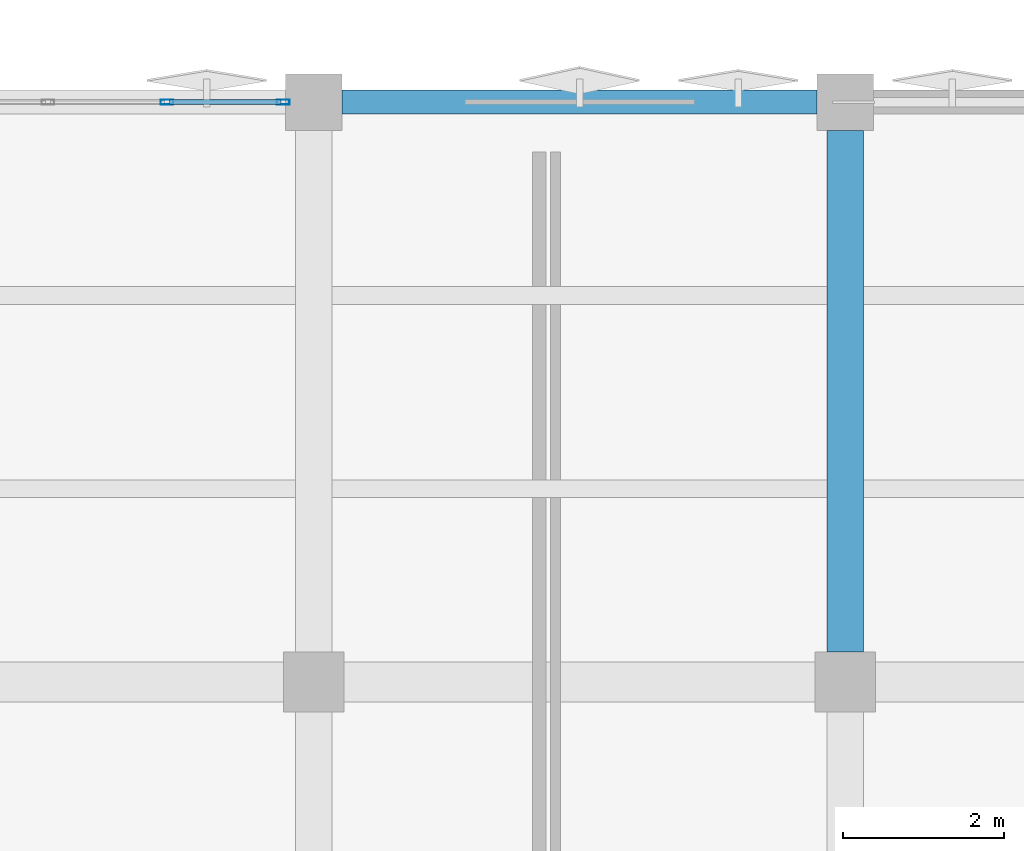
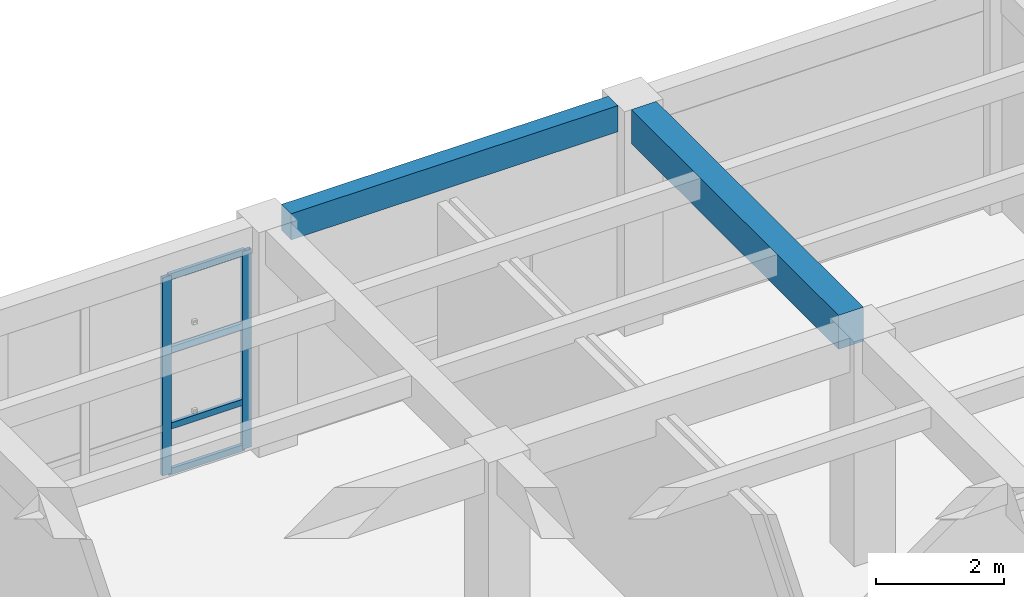
# One storey, part 50 of 80: 6 members, 2 beams, 1 element without a shape of its own.
"""IFC4 building model written with IfcOpenShell, lengths in metres."""

from ifc_helpers import new_model, si_unit, direction, frame, origin, origin_2d, place, context, subcontext, project, spatial, rectangle, hollow_rectangle, extrude, material, layer, layer_set, material_profile, profile_set, type_object, element, aggregate, save


model = new_model("IFC4")

# Units and contexts
model_context = context("Model", 3, precision=1e-05, world=origin(), true_north=direction((0.0, 1.0)))
body_context = subcontext(model_context, "Body", "Model", "MODEL_VIEW")
ifc_project = project(units=[si_unit("LENGTHUNIT", "METRE"), si_unit("AREAUNIT", "SQUARE_METRE"), si_unit("VOLUMEUNIT", "CUBIC_METRE"), si_unit("PLANEANGLEUNIT", "RADIAN"), si_unit("MASSUNIT", "GRAM", prefix="KILO")], contexts=[model_context])

# Site, building, storey
site_placement = place(None, origin())
site = spatial("IfcSite", under=ifc_project, at=site_placement, CompositionType="ELEMENT")
building_placement = place(site_placement, origin())
building = spatial("IfcBuilding", under=site, at=building_placement, Name="Kharisveld Research Institute", CompositionType="ELEMENT")
storey_placement = place(building_placement, frame((0.0, 0.0, 5.10009765625)))
storey = spatial("IfcBuildingStorey", under=building, at=storey_placement, Name="L01", CompositionType="ELEMENT", Elevation=5.10009765625)

# Beam
ifc_material_1 = material(Name="Concrete C40/50", Category="concrete")
ifc_material_profile_1 = material_profile(ifc_material_1, rectangle(XDim=0.449951171875, YDim=0.64990234375, at=origin_2d()))
ifc_profile_set_1 = profile_set([ifc_material_profile_1], Name="Concrete C40/50")
beam_type_1 = type_object("IfcBeamType", Name="BM_RC_450x650", PredefinedType="BEAM", material=ifc_profile_set_1)
beam_1_placement = place(storey_placement, frame((154.199951171875, 53.97509765625, 3.96484375), z_axis=(0.0, 1.0, 0.0), x_axis=(-1.0, 0.0, 0.0)))
element("IfcBeam", 1, at=beam_1_placement, inside=storey, type_object=beam_type_1, Name="BM:V2:L01:V6_2", PredefinedType="BEAM", context=body_context, shape_type="SweptSolid", body=[
    extrude(rectangle(XDim=0.449951171875, YDim=0.64990234375, at=origin_2d()), origin(), (0.0, 0.0, 1.0), 6.474853515625),
])

# Curtain wall, members
ifc_material_2 = material(Name="Thermally Broken Aluminium Curtain Wall", Category="aluminium")
ifc_layer = layer(ifc_material_2, 0.159912109375)
ifc_layer_set = layer_set([ifc_layer], Name="CW_SYS_04")
curtain_wall_type = type_object("IfcCurtainWallType", Name="CW_SYS_04", PredefinedType="NOTDEFINED", material=ifc_layer_set)
curtain_wall_placement = place(storey_placement, origin())
curtain_wall = element("IfcCurtainWall", 2, at=curtain_wall_placement, inside=storey, type_object=curtain_wall_type, Name="CW:V2:L01:N4", PredefinedType="NOTDEFINED")
ifc_material_3 = material(Name="Anodised Aluminium AW-6063-T6", Category="aluminium")
ifc_material_profile_2 = material_profile(ifc_material_3, hollow_rectangle(XDim=0.06494140625, YDim=0.159912109375, WallThickness=0.00390625, at=origin_2d()))
ifc_profile_set_2 = profile_set([ifc_material_profile_2], Name="Anodised Aluminium AW-6063-T6")
member_type_1 = type_object("IfcMemberType", Name="CW_MUL_160", PredefinedType="MULLION", material=ifc_profile_set_2)
member_1_placement = place(storey_placement, frame((145.777587890625, 60.800048828125, 0.0), z_axis=(0.0, 0.0, 1.0), x_axis=(0.0, 1.0, 0.0)))
member_1 = element("IfcMember", 3, at=member_1_placement, type_object=member_type_1, Name="CW-04 mullion 4", PredefinedType="MULLION", context=body_context, shape_type="SweptSolid", body=[
    extrude(hollow_rectangle(XDim=0.06494140625, YDim=0.159912109375, WallThickness=0.00390625, at=origin_2d()), origin(), (0.0, 0.0, 1.0), 3.77978515625),
])
member_2_placement = place(storey_placement, frame((147.222412109375, 60.800048828125, 0.0), z_axis=(0.0, 0.0, 1.0), x_axis=(0.0, 1.0, 0.0)))
member_2 = element("IfcMember", 4, at=member_2_placement, type_object=member_type_1, Name="CW-04 mullion 5", PredefinedType="MULLION", context=body_context, shape_type="SweptSolid", body=[
    extrude(hollow_rectangle(XDim=0.06494140625, YDim=0.159912109375, WallThickness=0.00390625, at=origin_2d()), origin(), (0.0, 0.0, 1.0), 3.77978515625),
])
ifc_material_4 = material(Name="Anodised Aluminium AW-6063-T6", Category="aluminium")
ifc_material_profile_3 = material_profile(ifc_material_4, hollow_rectangle(XDim=0.06005859375, YDim=0.1201171875, WallThickness=0.00390625, at=origin_2d()))
ifc_profile_set_3 = profile_set([ifc_material_profile_3], Name="Anodised Aluminium AW-6063-T6")
member_type_2 = type_object("IfcMemberType", Name="CW_TRN_120", PredefinedType="USERDEFINED", material=ifc_profile_set_3)
member_3_placement = place(storey_placement, frame((145.81005859375, 60.800048828125, 0.02978515625), z_axis=(1.0, 0.0, 0.0), x_axis=(0.0, 1.0, 0.0)))
member_3 = element("IfcMember", 5, at=member_3_placement, type_object=member_type_2, Name="CW-04 transom 4.1", ObjectType="TRANSOM", PredefinedType="USERDEFINED", context=body_context, shape_type="SweptSolid", body=[
    extrude(hollow_rectangle(XDim=0.06005859375, YDim=0.1201171875, WallThickness=0.00390625, at=origin_2d()), origin(), (0.0, 0.0, 1.0), 1.3798828125),
])
member_4_placement = place(storey_placement, frame((145.81005859375, 60.800048828125, 0.89990234375), z_axis=(1.0, 0.0, 0.0), x_axis=(0.0, 1.0, 0.0)))
member_4 = element("IfcMember", 6, at=member_4_placement, type_object=member_type_2, Name="CW-04 transom 4.2", ObjectType="TRANSOM", PredefinedType="USERDEFINED", context=body_context, shape_type="SweptSolid", body=[
    extrude(hollow_rectangle(XDim=0.06005859375, YDim=0.1201171875, WallThickness=0.00390625, at=origin_2d()), origin(), (0.0, 0.0, 1.0), 1.3798828125),
])
member_5_placement = place(storey_placement, frame((145.81005859375, 60.800048828125, 2.349853515625), z_axis=(1.0, 0.0, 0.0), x_axis=(0.0, 1.0, 0.0)))
member_5 = element("IfcMember", 7, at=member_5_placement, type_object=member_type_2, Name="CW-04 transom 4.3", ObjectType="TRANSOM", PredefinedType="USERDEFINED", context=body_context, shape_type="SweptSolid", body=[
    extrude(hollow_rectangle(XDim=0.06005859375, YDim=0.1201171875, WallThickness=0.00390625, at=origin_2d()), origin(), (0.0, 0.0, 1.0), 1.3798828125),
])
member_6_placement = place(storey_placement, frame((145.81005859375, 60.800048828125, 3.75), z_axis=(1.0, 0.0, 0.0), x_axis=(0.0, 1.0, 0.0)))
member_6 = element("IfcMember", 8, at=member_6_placement, type_object=member_type_2, Name="CW-04 transom 4.4", ObjectType="TRANSOM", PredefinedType="USERDEFINED", context=body_context, shape_type="SweptSolid", body=[
    extrude(hollow_rectangle(XDim=0.06005859375, YDim=0.1201171875, WallThickness=0.00390625, at=origin_2d()), origin(), (0.0, 0.0, 1.0), 1.3798828125),
])
aggregate(curtain_wall, [member_1, member_2, member_3, member_4, member_5, member_6])

# Beam
ifc_material_5 = material(Name="Concrete C40/50", Category="concrete")
ifc_material_profile_4 = material_profile(ifc_material_5, rectangle(XDim=0.300048828125, YDim=0.5, at=origin_2d()))
ifc_profile_set_4 = profile_set([ifc_material_profile_4], Name="Concrete C40/50")
beam_type_2 = type_object("IfcBeamType", Name="SP_RC_300x500", PredefinedType="SPANDREL", material=ifc_profile_set_4)
beam_2_placement = place(storey_placement, frame((147.949951171875, 60.800048828125, 4.039794921875), z_axis=(1.0, 0.0, 0.0), x_axis=(0.0, 1.0, 0.0)))
element("IfcBeam", 9, at=beam_2_placement, inside=storey, type_object=beam_type_2, Name="BM:V2:L01:U5_3", PredefinedType="SPANDREL", context=body_context, shape_type="SweptSolid", body=[
    extrude(rectangle(XDim=0.300048828125, YDim=0.5, at=origin_2d()), origin(), (0.0, 0.0, 1.0), 5.900146484375),
])

save(model, "model.ifc")
